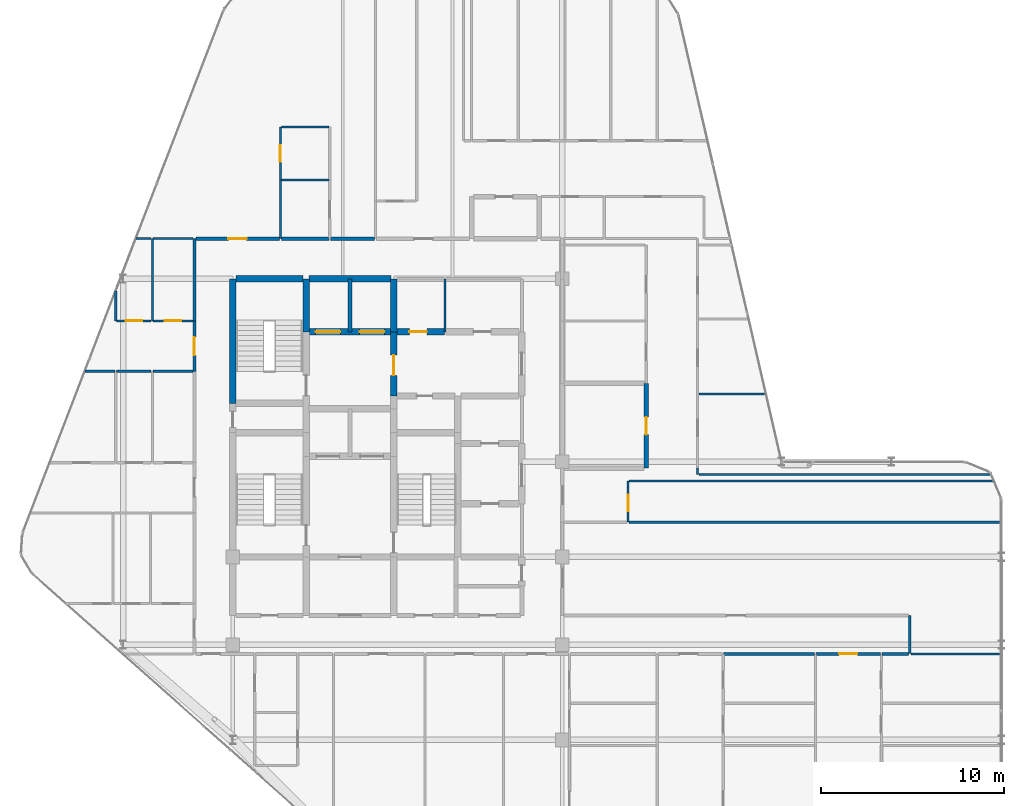
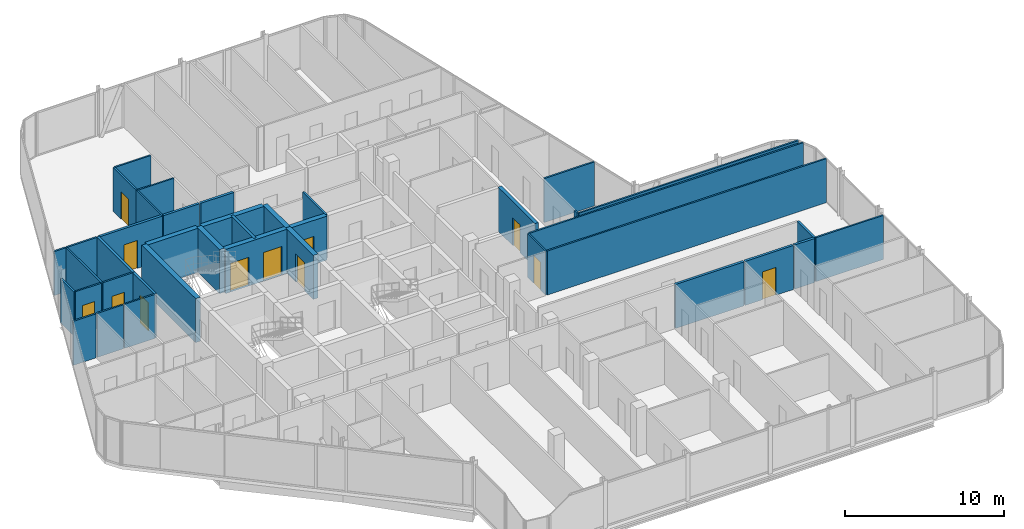
# One storey, part 26 of 29: 40 walls, 12 doors, 12 openings.
"""IFC4 building model written with IfcOpenShell, lengths in metres."""

from ifc_helpers import new_model, si_unit, direction, frame, frame_2d, origin, place, context, subcontext, project, spatial, rectangle, extrude, material, layer, layer_set, type_object, element, fill, save


model = new_model("IFC4")

# Units and contexts
model_context = context("Model", 3, precision=1e-05, world=origin(), true_north=direction((0.0, 1.0)))
body_context = subcontext(model_context, "Body", "Model", "MODEL_VIEW")
ifc_project = project(units=[si_unit("LENGTHUNIT", "METRE"), si_unit("AREAUNIT", "SQUARE_METRE"), si_unit("VOLUMEUNIT", "CUBIC_METRE"), si_unit("PLANEANGLEUNIT", "RADIAN"), si_unit("MASSUNIT", "GRAM", prefix="KILO")], contexts=[model_context])

# Site, building, storey
site_placement = place(None, origin())
site = spatial("IfcSite", under=ifc_project, at=site_placement, CompositionType="ELEMENT")
building_placement = place(site_placement, origin())
building = spatial("IfcBuilding", under=site, at=building_placement, Name="Keshet Zoharim Tower", CompositionType="ELEMENT")
storey_placement = place(building_placement, frame((0.0, 0.0, 230.199951171875)))
storey = spatial("IfcBuildingStorey", under=building, at=storey_placement, Name="L57", CompositionType="ELEMENT", Elevation=230.199951171875)

# Walls
ifc_material_1 = material(Name="Gypsum Plasterboard", Category="gypsum")
ifc_layer_1 = layer(ifc_material_1, 0.14990234375)
ifc_layer_set_1 = layer_set([ifc_layer_1], Name="Gypsum Plasterboard")
wall_type_1 = type_object("IfcWallType", Name="WL-CLIN-150", PredefinedType="STANDARD", material=ifc_layer_set_1)
wall_1_placement = place(storey_placement, frame((52.0, 17.409912109375, 0.0), z_axis=(0.0, 0.0, 1.0), x_axis=(0.0, 1.0, 0.0)))
element("IfcWall", 1, at=wall_1_placement, inside=storey, type_object=wall_type_1, Name="L57 Interior Wall 097", PredefinedType="STANDARD", context=body_context, shape_type="SweptSolid", body=[
    extrude(rectangle(XDim=2.090087890625, YDim=0.14990234375, at=frame_2d((1.044921875, 0.0))), origin(), (0.0, 0.0, 1.0), 3.39013671875),
])
ifc_material_2 = material(Name="Concrete C60/75", Category="concrete")
ifc_layer_2 = layer(ifc_material_2, 0.35009765625)
ifc_layer_set_2 = layer_set([ifc_layer_2], Name="Concrete C60/75")
wall_type_2 = type_object("IfcWallType", Name="WL-CORE-350", PredefinedType="SHEAR", material=ifc_layer_set_2)
wall_2_placement = place(storey_placement, frame((15.0, 31.10009765625, 0.0), z_axis=(0.0, 0.0, 1.0), x_axis=(0.0, 1.0, 0.0)))
element("IfcWall", 2, at=wall_2_placement, inside=storey, type_object=wall_type_2, Name="L57 Core Shear Wall 016", PredefinedType="SHEAR", context=body_context, shape_type="SweptSolid", body=[
    extrude(rectangle(XDim=6.7998046875, YDim=0.35009765625, at=frame_2d((3.39990234375, 0.0))), origin(), (0.0, 0.0, 1.0), 3.39013671875),
])
wall_3_placement = place(storey_placement, frame((19.0, 35.0, 0.0), z_axis=(0.0, 0.0, 1.0), x_axis=(0.0, 1.0, 0.0)))
element("IfcWall", 3, at=wall_3_placement, inside=storey, type_object=wall_type_2, Name="L57 Core Shear Wall 027", PredefinedType="SHEAR", context=body_context, shape_type="SweptSolid", body=[
    extrude(rectangle(XDim=2.89990234375, YDim=0.35009765625, at=frame_2d((1.449951171875, 0.0))), origin(), (0.0, 0.0, 1.0), 3.39013671875),
])

# Wall, opening, door
wall_4_placement = place(storey_placement, frame((23.800048828125, 31.5, 0.0), z_axis=(0.0, 0.0, 1.0), x_axis=(0.0, 1.0, 0.0)))
wall_4 = element("IfcWall", 4, at=wall_4_placement, inside=storey, type_object=wall_type_2, Name="L57 Core Shear Wall 040", PredefinedType="SHEAR", context=body_context, shape_type="SweptSolid", body=[
    extrude(rectangle(XDim=3.5, YDim=0.35009765625, at=frame_2d((1.75, 0.0))), origin(), (0.0, 0.0, 1.0), 3.39013671875),
])
opening_1_placement = place(wall_4_placement, frame((1.126953125, 0.0, 0.0)))
opening_1 = element("IfcOpeningElement", 5, at=opening_1_placement, cuts=wall_4, Name="Opening D-F611", PredefinedType="OPENING", context=body_context, shape_type="SweptSolid", body=[
    extrude(rectangle(XDim=1.10009765625, YDim=2.14990234375, at=frame_2d((0.550048828125, 1.074951171875))), frame((0.0, 0.18505859375, 0.0), z_axis=(0.0, -1.0, 0.0), x_axis=(1.0, 0.0, 0.0)), (0.0, 0.0, 1.0), 0.3701171875),
])
ifc_material_3 = material(Name="Hardwood Timber", Category="wood")
door_type_1 = type_object("IfcDoorType", Name="DR-FD60-110", OperationType="NOTDEFINED", PredefinedType="DOOR", material=ifc_material_3)
door_1_placement = place(opening_1_placement, origin())
door_1 = element("IfcDoor", 6, at=door_1_placement, inside=storey, type_object=door_type_1, Name="L57 Firefighting Lobby Fire Door", OperationType="SINGLE_SWING_RIGHT", OverallHeight=2.14990234375, OverallWidth=1.10009765625, PredefinedType="DOOR", context=body_context, shape_type="SweptSolid", body=[
    extrude(rectangle(XDim=1.10009765625, YDim=2.14990234375, at=frame_2d((0.550048828125, 1.074951171875))), frame((0.0, 0.02490234375, 0.0), z_axis=(0.0, -1.0, 0.0), x_axis=(1.0, 0.0, 0.0)), (0.0, 0.0, 1.0), 0.050048828125),
])
fill(opening_1, door_1)

# Wall
wall_5_placement = place(storey_placement, frame((23.800048828125, 35.0, 0.0), z_axis=(0.0, 0.0, 1.0), x_axis=(0.0, 1.0, 0.0)))
element("IfcWall", 7, at=wall_5_placement, inside=storey, type_object=wall_type_2, Name="L57 Core Shear Wall 041", PredefinedType="SHEAR", context=body_context, shape_type="SweptSolid", body=[
    extrude(rectangle(XDim=2.89990234375, YDim=0.35009765625, at=frame_2d((1.449951171875, 0.0))), origin(), (0.0, 0.0, 1.0), 3.39013671875),
])

# Wall, openings, doors
wall_6_placement = place(storey_placement, frame((19.159912109375, 35.0, 0.0), z_axis=(0.0, 0.0, 1.0), x_axis=(1.0, 0.0, 0.0)))
wall_6 = element("IfcWall", 8, at=wall_6_placement, inside=storey, type_object=wall_type_2, Name="L57 Core Shear Wall 161", PredefinedType="SHEAR", context=body_context, shape_type="SweptSolid", body=[
    extrude(rectangle(XDim=4.47998046875, YDim=0.35009765625, at=frame_2d((2.239990234375, 0.0))), origin(), (0.0, 0.0, 1.0), 3.39013671875),
])
opening_2_placement = place(wall_6_placement, frame((0.364990234375, 0.0, 0.0)))
opening_2 = element("IfcOpeningElement", 9, at=opening_2_placement, cuts=wall_6, Name="Opening LD-02", PredefinedType="OPENING", context=body_context, shape_type="SweptSolid", body=[
    extrude(rectangle(XDim=1.35009765625, YDim=2.199951171875, at=frame_2d((0.675048828125, 1.10009765625))), frame((0.0, 0.18505859375, 0.0), z_axis=(0.0, -1.0, 0.0), x_axis=(1.0, 0.0, 0.0)), (0.0, 0.0, 1.0), 0.3701171875),
])
opening_3_placement = place(wall_6_placement, frame((2.764892578125, 0.0, 0.0)))
opening_3 = element("IfcOpeningElement", 10, at=opening_3_placement, cuts=wall_6, Name="Opening LD-02", PredefinedType="OPENING", context=body_context, shape_type="SweptSolid", body=[
    extrude(rectangle(XDim=1.35009765625, YDim=2.199951171875, at=frame_2d((0.675048828125, 1.10009765625))), frame((0.0, 0.18505859375, 0.0), z_axis=(0.0, -1.0, 0.0), x_axis=(1.0, 0.0, 0.0)), (0.0, 0.0, 1.0), 0.3701171875),
])
ifc_material_4 = material(Name="Steel S355", Category="steel")
door_type_2 = type_object("IfcDoorType", Name="DR-LD02-135", OperationType="DOUBLE_DOOR_SLIDING", PredefinedType="DOOR", material=ifc_material_4)
door_2_placement = place(opening_2_placement, origin())
door_2 = element("IfcDoor", 11, at=door_2_placement, inside=storey, type_object=door_type_2, Name="L57 Firefighting Lift Landing Door FF-01", OperationType="DOUBLE_DOOR_SLIDING", OverallHeight=2.199951171875, OverallWidth=1.35009765625, PredefinedType="DOOR", context=body_context, shape_type="SweptSolid", body=[
    extrude(rectangle(XDim=1.35009765625, YDim=2.199951171875, at=frame_2d((0.675048828125, 1.10009765625))), frame((0.0, 0.02490234375, 0.0), z_axis=(0.0, -1.0, 0.0), x_axis=(1.0, 0.0, 0.0)), (0.0, 0.0, 1.0), 0.050048828125),
])
fill(opening_2, door_2)
door_3_placement = place(opening_3_placement, origin())
door_3 = element("IfcDoor", 12, at=door_3_placement, inside=storey, type_object=door_type_2, Name="L57 Firefighting Lift Landing Door FF-02", OperationType="DOUBLE_DOOR_SLIDING", OverallHeight=2.199951171875, OverallWidth=1.35009765625, PredefinedType="DOOR", context=body_context, shape_type="SweptSolid", body=[
    extrude(rectangle(XDim=1.35009765625, YDim=2.199951171875, at=frame_2d((0.675048828125, 1.10009765625))), frame((0.0, 0.02490234375, 0.0), z_axis=(0.0, -1.0, 0.0), x_axis=(1.0, 0.0, 0.0)), (0.0, 0.0, 1.0), 0.050048828125),
])
fill(opening_3, door_3)

# Wall, opening, door
wall_7_placement = place(storey_placement, frame((23.9599609375, 35.0, 0.0), z_axis=(0.0, 0.0, 1.0), x_axis=(1.0, 0.0, 0.0)))
wall_7 = element("IfcWall", 13, at=wall_7_placement, inside=storey, type_object=wall_type_2, Name="L57 Core Shear Wall 162", PredefinedType="SHEAR", context=body_context, shape_type="SweptSolid", body=[
    extrude(rectangle(XDim=2.594970703125, YDim=0.35009765625, at=frame_2d((1.29736328125, 0.0))), origin(), (0.0, 0.0, 1.0), 3.39013671875),
])
opening_4_placement = place(wall_7_placement, frame((0.69091796875, 0.0, 0.0)))
opening_4 = element("IfcOpeningElement", 14, at=opening_4_placement, cuts=wall_7, Name="Opening D-F695", PredefinedType="OPENING", context=body_context, shape_type="SweptSolid", body=[
    extrude(rectangle(XDim=0.949951171875, YDim=2.14990234375, at=frame_2d((0.47509765625, 1.074951171875))), frame((0.0, 0.18505859375, 0.0), z_axis=(0.0, -1.0, 0.0), x_axis=(1.0, 0.0, 0.0)), (0.0, 0.0, 1.0), 0.3701171875),
])
door_type_3 = type_object("IfcDoorType", Name="DR-FD60-095", OperationType="NOTDEFINED", PredefinedType="DOOR", material=ifc_material_3)
door_4_placement = place(opening_4_placement, frame((0.949951171875, 0.0, 0.0), z_axis=(0.0, 0.0, 1.0), x_axis=(-1.0, 0.0, 0.0)))
door_4 = element("IfcDoor", 15, at=door_4_placement, inside=storey, type_object=door_type_3, Name="L57 Laundry Room Door", OperationType="SINGLE_SWING_LEFT", OverallHeight=2.14990234375, OverallWidth=0.949951171875, PredefinedType="DOOR", context=body_context, shape_type="SweptSolid", body=[
    extrude(rectangle(XDim=0.949951171875, YDim=2.14990234375, at=frame_2d((0.47509765625, 1.074951171875))), frame((0.0, 0.02490234375, 0.0), z_axis=(0.0, -1.0, 0.0), x_axis=(1.0, 0.0, 0.0)), (0.0, 0.0, 1.0), 0.050048828125),
])
fill(opening_4, door_4)

# Walls
wall_8_placement = place(storey_placement, frame((15.159912109375, 37.89990234375, 0.0), z_axis=(0.0, 0.0, 1.0), x_axis=(1.0, 0.0, 0.0)))
element("IfcWall", 16, at=wall_8_placement, inside=storey, type_object=wall_type_2, Name="L57 Core Shear Wall 168", PredefinedType="SHEAR", context=body_context, shape_type="SweptSolid", body=[
    extrude(rectangle(XDim=3.68017578125, YDim=0.35009765625, at=frame_2d((1.840087890625, 0.0))), origin(), (0.0, 0.0, 1.0), 3.39013671875),
])
wall_9_placement = place(storey_placement, frame((19.159912109375, 37.89990234375, 0.0), z_axis=(0.0, 0.0, 1.0), x_axis=(1.0, 0.0, 0.0)))
element("IfcWall", 17, at=wall_9_placement, inside=storey, type_object=wall_type_2, Name="L57 Core Shear Wall 169", PredefinedType="SHEAR", context=body_context, shape_type="SweptSolid", body=[
    extrude(rectangle(XDim=4.47998046875, YDim=0.35009765625, at=frame_2d((2.239990234375, 0.0))), origin(), (0.0, 0.0, 1.0), 3.39013671875),
])

# Wall, opening, door
ifc_layer_3 = layer(ifc_material_1, 0.179931640625)
ifc_layer_set_3 = layer_set([ifc_layer_3], Name="Gypsum Plasterboard")
wall_type_3 = type_object("IfcWallType", Name="WL-CORR-180", PredefinedType="STANDARD", material=ifc_layer_set_3)
wall_10_placement = place(storey_placement, frame((12.89990234375, 32.840087890625, 0.0), z_axis=(0.0, 0.0, 1.0), x_axis=(0.0, 1.0, 0.0)))
wall_10 = element("IfcWall", 18, at=wall_10_placement, inside=storey, type_object=wall_type_3, Name="L57 Interior Wall 011", PredefinedType="STANDARD", context=body_context, shape_type="SweptSolid", body=[
    extrude(rectangle(XDim=2.75, YDim=0.179931640625, at=frame_2d((1.375, 0.0))), origin(), (0.0, 0.0, 1.0), 3.39013671875),
])
opening_5_placement = place(wall_10_placement, frame((0.875, 0.0, 0.0)))
opening_5 = element("IfcOpeningElement", 19, at=opening_5_placement, cuts=wall_10, Name="Opening D-F310", PredefinedType="OPENING", context=body_context, shape_type="SweptSolid", body=[
    extrude(rectangle(XDim=1.0, YDim=2.14990234375, at=frame_2d((0.5, 1.074951171875))), frame((0.0, 0.10009765625, 0.0), z_axis=(0.0, -1.0, 0.0), x_axis=(1.0, 0.0, 0.0)), (0.0, 0.0, 1.0), 0.199951171875),
])
door_type_4 = type_object("IfcDoorType", Name="DR-FD30-100", OperationType="NOTDEFINED", PredefinedType="DOOR", material=ifc_material_3)
door_5_placement = place(opening_5_placement, origin())
door_5 = element("IfcDoor", 20, at=door_5_placement, inside=storey, type_object=door_type_4, Name="Apartment 5709 Entrance Door", OperationType="SINGLE_SWING_LEFT", OverallHeight=2.14990234375, OverallWidth=1.0, PredefinedType="DOOR", context=body_context, shape_type="SweptSolid", body=[
    extrude(rectangle(XDim=1.0, YDim=2.14990234375, at=frame_2d((0.5, 1.074951171875))), frame((0.0, 0.02490234375, 0.0), z_axis=(0.0, -1.0, 0.0), x_axis=(1.0, 0.0, 0.0)), (0.0, 0.0, 1.0), 0.050048828125),
])
fill(opening_5, door_5)

# Walls
wall_11_placement = place(storey_placement, frame((12.89990234375, 35.590087890625, 0.0), z_axis=(0.0, 0.0, 1.0), x_axis=(0.0, 1.0, 0.0)))
element("IfcWall", 21, at=wall_11_placement, inside=storey, type_object=wall_type_3, Name="L57 Interior Wall 012", PredefinedType="STANDARD", context=body_context, shape_type="SweptSolid", body=[
    extrude(rectangle(XDim=4.510009765625, YDim=0.179931640625, at=frame_2d((2.2548828125, 0.0))), origin(), (0.0, 0.0, 1.0), 3.39013671875),
])
wall_12_placement = place(storey_placement, frame((41.824951171875, 17.39990234375, 0.0), z_axis=(0.0, 0.0, 1.0), x_axis=(1.0, 0.0, 0.0)))
element("IfcWall", 22, at=wall_12_placement, inside=storey, type_object=wall_type_3, Name="L57 Interior Wall 119", PredefinedType="STANDARD", context=body_context, shape_type="SweptSolid", body=[
    extrude(rectangle(XDim=4.969970703125, YDim=0.179931640625, at=frame_2d((2.48486328125, 0.0))), origin(), (0.0, 0.0, 1.0), 3.39013671875),
])

# Wall, opening, door
wall_13_placement = place(storey_placement, frame((46.885009765625, 17.39990234375, 0.0), z_axis=(0.0, 0.0, 1.0), x_axis=(1.0, 0.0, 0.0)))
wall_13 = element("IfcWall", 23, at=wall_13_placement, inside=storey, type_object=wall_type_3, Name="L57 Interior Wall 120", PredefinedType="STANDARD", context=body_context, shape_type="SweptSolid", body=[
    extrude(rectangle(XDim=3.510009765625, YDim=0.179931640625, at=frame_2d((1.7548828125, 0.0))), origin(), (0.0, 0.0, 1.0), 3.39013671875),
])
opening_6_placement = place(wall_13_placement, frame((1.2548828125, 0.0, 0.0)))
opening_6 = element("IfcOpeningElement", 24, at=opening_6_placement, cuts=wall_13, Name="Opening D-F310", PredefinedType="OPENING", context=body_context, shape_type="SweptSolid", body=[
    extrude(rectangle(XDim=1.0, YDim=2.14990234375, at=frame_2d((0.5, 1.074951171875))), frame((0.0, 0.10009765625, 0.0), z_axis=(0.0, -1.0, 0.0), x_axis=(1.0, 0.0, 0.0)), (0.0, 0.0, 1.0), 0.199951171875),
])
door_6_placement = place(opening_6_placement, origin())
door_6 = element("IfcDoor", 25, at=door_6_placement, inside=storey, type_object=door_type_4, Name="Apartment 5704 Entrance Door", OperationType="SINGLE_SWING_LEFT", OverallHeight=2.14990234375, OverallWidth=1.0, PredefinedType="DOOR", context=body_context, shape_type="SweptSolid", body=[
    extrude(rectangle(XDim=1.0, YDim=2.14990234375, at=frame_2d((0.5, 1.074951171875))), frame((0.0, 0.02490234375, 0.0), z_axis=(0.0, -1.0, 0.0), x_axis=(1.0, 0.0, 0.0)), (0.0, 0.0, 1.0), 0.050048828125),
])
fill(opening_6, door_6)

# Wall
wall_14_placement = place(storey_placement, frame((50.485107421875, 17.39990234375, 0.0), z_axis=(0.0, 0.0, 1.0), x_axis=(1.0, 0.0, 0.0)))
element("IfcWall", 26, at=wall_14_placement, inside=storey, type_object=wall_type_3, Name="L57 Interior Wall 121", PredefinedType="STANDARD", context=body_context, shape_type="SweptSolid", body=[
    extrude(rectangle(XDim=1.454833984375, YDim=0.179931640625, at=frame_2d((0.7275390625, 0.0))), origin(), (0.0, 0.0, 1.0), 3.39013671875),
])

# Wall, opening, door
wall_15_placement = place(storey_placement, frame((12.97509765625, 40.10009765625, 0.0), z_axis=(0.0, 0.0, 1.0), x_axis=(1.0, 0.0, 0.0)))
wall_15 = element("IfcWall", 27, at=wall_15_placement, inside=storey, type_object=wall_type_3, Name="L57 Interior Wall 176", PredefinedType="STANDARD", context=body_context, shape_type="SweptSolid", body=[
    extrude(rectangle(XDim=4.579833984375, YDim=0.179931640625, at=frame_2d((2.2900390625, 0.0))), origin(), (0.0, 0.0, 1.0), 3.39013671875),
])
opening_7_placement = place(wall_15_placement, frame((1.77490234375, 0.0, 0.0)))
opening_7 = element("IfcOpeningElement", 28, at=opening_7_placement, cuts=wall_15, Name="Opening D-F310", PredefinedType="OPENING", context=body_context, shape_type="SweptSolid", body=[
    extrude(rectangle(XDim=1.0, YDim=2.14990234375, at=frame_2d((0.5, 1.074951171875))), frame((0.0, 0.10009765625, 0.0), z_axis=(0.0, -1.0, 0.0), x_axis=(1.0, 0.0, 0.0)), (0.0, 0.0, 1.0), 0.199951171875),
])
door_7_placement = place(opening_7_placement, origin())
door_7 = element("IfcDoor", 29, at=door_7_placement, inside=storey, type_object=door_type_4, Name="Apartment 5705 Entrance Door", OperationType="SINGLE_SWING_LEFT", OverallHeight=2.14990234375, OverallWidth=1.0, PredefinedType="DOOR", context=body_context, shape_type="SweptSolid", body=[
    extrude(rectangle(XDim=1.0, YDim=2.14990234375, at=frame_2d((0.5, 1.074951171875))), frame((0.0, 0.02490234375, 0.0), z_axis=(0.0, -1.0, 0.0), x_axis=(1.0, 0.0, 0.0)), (0.0, 0.0, 1.0), 0.050048828125),
])
fill(opening_7, door_7)

# Walls
wall_16_placement = place(storey_placement, frame((17.64501953125, 40.10009765625, 0.0), z_axis=(0.0, 0.0, 1.0), x_axis=(1.0, 0.0, 0.0)))
element("IfcWall", 30, at=wall_16_placement, inside=storey, type_object=wall_type_3, Name="L57 Interior Wall 177", PredefinedType="STANDARD", context=body_context, shape_type="SweptSolid", body=[
    extrude(rectangle(XDim=2.60986328125, YDim=0.179931640625, at=frame_2d((1.304931640625, 0.0))), origin(), (0.0, 0.0, 1.0), 3.39013671875),
])
wall_17_placement = place(storey_placement, frame((20.344970703125, 40.10009765625, 0.0), z_axis=(0.0, 0.0, 1.0), x_axis=(1.0, 0.0, 0.0)))
element("IfcWall", 31, at=wall_17_placement, inside=storey, type_object=wall_type_3, Name="L57 Interior Wall 178", PredefinedType="STANDARD", context=body_context, shape_type="SweptSolid", body=[
    extrude(rectangle(XDim=2.409912109375, YDim=0.179931640625, at=frame_2d((1.205078125, 0.0))), origin(), (0.0, 0.0, 1.0), 3.39013671875),
])
ifc_material_5 = material(Name="Concrete C50/60", Category="concrete")
ifc_layer_4 = layer(ifc_material_5, 0.199951171875)
ifc_layer_set_4 = layer_set([ifc_layer_4], Name="Concrete C50/60")
wall_type_4 = type_object("IfcWallType", Name="WL-FIRE-200", PredefinedType="STANDARD", material=ifc_layer_set_4)
wall_18_placement = place(storey_placement, frame((21.39990234375, 35.0, 0.0), z_axis=(0.0, 0.0, 1.0), x_axis=(0.0, 1.0, 0.0)))
element("IfcWall", 32, at=wall_18_placement, inside=storey, type_object=wall_type_4, Name="L57 Interior Wall 032", PredefinedType="STANDARD", context=body_context, shape_type="SweptSolid", body=[
    extrude(rectangle(XDim=2.89990234375, YDim=0.199951171875, at=frame_2d((1.449951171875, 0.0))), origin(), (0.0, 0.0, 1.0), 3.39013671875),
])

# Wall, opening, door
ifc_layer_5 = layer(ifc_material_5, 0.25)
ifc_layer_set_5 = layer_set([ifc_layer_5], Name="Concrete C50/60")
wall_type_5 = type_object("IfcWallType", Name="WL-MAMAD-250", PredefinedType="STANDARD", material=ifc_layer_set_5)
wall_19_placement = place(storey_placement, frame((37.60009765625, 27.550048828125, 0.0), z_axis=(0.0, 0.0, 1.0), x_axis=(0.0, 1.0, 0.0)))
wall_19 = element("IfcWall", 33, at=wall_19_placement, inside=storey, type_object=wall_type_5, Name="L57 Interior Wall 077", PredefinedType="STANDARD", context=body_context, shape_type="SweptSolid", body=[
    extrude(rectangle(XDim=4.635986328125, YDim=0.25, at=frame_2d((2.31787109375, 0.0))), origin(), (0.0, 0.0, 1.0), 3.39013671875),
])
opening_8_placement = place(wall_19_placement, frame((1.843017578125, 0.0, 0.0)))
opening_8 = element("IfcOpeningElement", 34, at=opening_8_placement, cuts=wall_19, Name="Opening D-F695", PredefinedType="OPENING", context=body_context, shape_type="SweptSolid", body=[
    extrude(rectangle(XDim=0.949951171875, YDim=2.14990234375, at=frame_2d((0.47509765625, 1.074951171875))), frame((0.0, 0.135009765625, 0.0), z_axis=(0.0, -1.0, 0.0), x_axis=(1.0, 0.0, 0.0)), (0.0, 0.0, 1.0), 0.27001953125),
])
door_8_placement = place(opening_8_placement, origin())
door_8 = element("IfcDoor", 35, at=door_8_placement, inside=storey, type_object=door_type_3, Name="Apartment 5710 Study and Shelter Room Door", OperationType="SINGLE_SWING_LEFT", OverallHeight=2.14990234375, OverallWidth=0.949951171875, PredefinedType="DOOR", context=body_context, shape_type="SweptSolid", body=[
    extrude(rectangle(XDim=0.949951171875, YDim=2.14990234375, at=frame_2d((0.47509765625, 1.074951171875))), frame((0.0, 0.02490234375, 0.0), z_axis=(0.0, -1.0, 0.0), x_axis=(1.0, 0.0, 0.0)), (0.0, 0.0, 1.0), 0.050048828125),
])
fill(opening_8, door_8)

# Walls
ifc_layer_6 = layer(ifc_material_1, 0.1201171875)
ifc_layer_set_6 = layer_set([ifc_layer_6], Name="Gypsum Plasterboard")
wall_type_6 = type_object("IfcWallType", Name="WL-PART-120", PredefinedType="PARTITIONING", material=ifc_layer_set_6)
wall_20_placement = place(storey_placement, frame((8.60009765625, 35.590087890625, 0.0), z_axis=(0.0, 0.0, 1.0), x_axis=(0.0, 1.0, 0.0)))
element("IfcWall", 36, at=wall_20_placement, inside=storey, type_object=wall_type_6, Name="L57 Interior Wall 003", PredefinedType="PARTITIONING", context=body_context, shape_type="SweptSolid", body=[
    extrude(rectangle(XDim=1.659912109375, YDim=0.1201171875, at=frame_2d((0.830078125, 0.0))), origin(), (0.0, 0.0, 1.0), 3.39013671875),
])
wall_21_placement = place(storey_placement, frame((17.60009765625, 40.10009765625, 0.0), z_axis=(0.0, 0.0, 1.0), x_axis=(0.0, 1.0, 0.0)))
element("IfcWall", 37, at=wall_21_placement, inside=storey, type_object=wall_type_6, Name="L57 Interior Wall 019", PredefinedType="PARTITIONING", context=body_context, shape_type="SweptSolid", body=[
    extrude(rectangle(XDim=3.199951171875, YDim=0.1201171875, at=frame_2d((1.60009765625, 0.0))), origin(), (0.0, 0.0, 1.0), 3.39013671875),
])
wall_22_placement = place(storey_placement, frame((26.60009765625, 35.0, 0.0), z_axis=(0.0, 0.0, 1.0), x_axis=(0.0, 1.0, 0.0)))
element("IfcWall", 38, at=wall_22_placement, inside=storey, type_object=wall_type_6, Name="L57 Interior Wall 044", PredefinedType="PARTITIONING", context=body_context, shape_type="SweptSolid", body=[
    extrude(rectangle(XDim=2.89990234375, YDim=0.1201171875, at=frame_2d((1.449951171875, 0.0))), origin(), (0.0, 0.0, 1.0), 3.39013671875),
])

# Wall, opening, door
wall_23_placement = place(storey_placement, frame((36.60009765625, 24.60009765625, 0.0), z_axis=(0.0, 0.0, 1.0), x_axis=(0.0, 1.0, 0.0)))
wall_23 = element("IfcWall", 39, at=wall_23_placement, inside=storey, type_object=wall_type_6, Name="L57 Interior Wall 076", PredefinedType="PARTITIONING", context=body_context, shape_type="SweptSolid", body=[
    extrude(rectangle(XDim=2.25, YDim=0.1201171875, at=frame_2d((1.125, 0.0))), origin(), (0.0, 0.0, 1.0), 3.39013671875),
])
opening_9_placement = place(wall_23_placement, frame((0.597900390625, 0.0, 0.0)))
opening_9 = element("IfcOpeningElement", 40, at=opening_9_placement, cuts=wall_23, Name="Opening D-IN90", PredefinedType="OPENING", context=body_context, shape_type="SweptSolid", body=[
    extrude(rectangle(XDim=0.89990234375, YDim=2.14990234375, at=frame_2d((0.449951171875, 1.074951171875))), frame((0.0, 0.070068359375, 0.0), z_axis=(0.0, -1.0, 0.0), x_axis=(1.0, 0.0, 0.0)), (0.0, 0.0, 1.0), 0.14013671875),
])
door_type_5 = type_object("IfcDoorType", Name="DR-INT-090", OperationType="NOTDEFINED", PredefinedType="DOOR", material=ifc_material_3)
door_9_placement = place(opening_9_placement, origin())
door_9 = element("IfcDoor", 41, at=door_9_placement, inside=storey, type_object=door_type_5, Name="Apartment 5710 Formal Dining Room Door", OperationType="SINGLE_SWING_RIGHT", OverallHeight=2.14990234375, OverallWidth=0.89990234375, PredefinedType="DOOR", context=body_context, shape_type="SweptSolid", body=[
    extrude(rectangle(XDim=0.89990234375, YDim=2.14990234375, at=frame_2d((0.449951171875, 1.074951171875))), frame((0.0, 0.02490234375, 0.0), z_axis=(0.0, -1.0, 0.0), x_axis=(1.0, 0.0, 0.0)), (0.0, 0.0, 1.0), 0.050048828125),
])
fill(opening_9, door_9)

# Walls
wall_24_placement = place(storey_placement, frame((40.39990234375, 27.199951171875, 0.0), z_axis=(0.0, 0.0, 1.0), x_axis=(0.0, 1.0, 0.0)))
element("IfcWall", 42, at=wall_24_placement, inside=storey, type_object=wall_type_6, Name="L57 Interior Wall 084", PredefinedType="PARTITIONING", context=body_context, shape_type="SweptSolid", body=[
    extrude(rectangle(XDim=0.35009765625, YDim=0.1201171875, at=frame_2d((0.175048828125, 0.0))), origin(), (0.0, 0.0, 1.0), 3.39013671875),
])
wall_25_placement = place(storey_placement, frame((36.64501953125, 24.60009765625, 0.0), z_axis=(0.0, 0.0, 1.0), x_axis=(1.0, 0.0, 0.0)))
element("IfcWall", 43, at=wall_25_placement, inside=storey, type_object=wall_type_6, Name="L57 Interior Wall 137", PredefinedType="PARTITIONING", context=body_context, shape_type="SweptSolid", body=[
    extrude(rectangle(XDim=20.344970703125, YDim=0.1201171875, at=frame_2d((10.17236328125, 0.0))), origin(), (0.0, 0.0, 1.0), 3.39013671875),
])
wall_26_placement = place(storey_placement, frame((36.64501953125, 26.85009765625, 0.0), z_axis=(0.0, 0.0, 1.0), x_axis=(1.0, 0.0, 0.0)))
element("IfcWall", 44, at=wall_26_placement, inside=storey, type_object=wall_type_6, Name="L57 Interior Wall 142", PredefinedType="PARTITIONING", context=body_context, shape_type="SweptSolid", body=[
    extrude(rectangle(XDim=19.950927734375, YDim=0.1201171875, at=frame_2d((9.9755859375, 0.0))), origin(), (0.0, 0.0, 1.0), 3.39013671875),
])
wall_27_placement = place(storey_placement, frame((40.465087890625, 27.199951171875, 0.0), z_axis=(0.0, 0.0, 1.0), x_axis=(1.0, 0.0, 0.0)))
element("IfcWall", 45, at=wall_27_placement, inside=storey, type_object=wall_type_6, Name="L57 Interior Wall 143", PredefinedType="PARTITIONING", context=body_context, shape_type="SweptSolid", body=[
    extrude(rectangle(XDim=15.98583984375, YDim=0.1201171875, at=frame_2d((7.992919921875, 0.0))), origin(), (0.0, 0.0, 1.0), 3.39013671875),
])
wall_28_placement = place(storey_placement, frame((40.465087890625, 31.60009765625, 0.0), z_axis=(0.0, 0.0, 1.0), x_axis=(1.0, 0.0, 0.0)))
element("IfcWall", 46, at=wall_28_placement, inside=storey, type_object=wall_type_6, Name="L57 Interior Wall 156", PredefinedType="PARTITIONING", context=body_context, shape_type="SweptSolid", body=[
    extrude(rectangle(XDim=3.6708984375, YDim=0.1201171875, at=frame_2d((1.83544921875, 0.0))), origin(), (0.0, 0.0, 1.0), 3.39013671875),
])
wall_29_placement = place(storey_placement, frame((6.9140625, 32.85009765625, 0.0), z_axis=(0.0, 0.0, 1.0), x_axis=(1.0, 0.0, 0.0)))
element("IfcWall", 47, at=wall_29_placement, inside=storey, type_object=wall_type_6, Name="L57 Interior Wall 158", PredefinedType="PARTITIONING", context=body_context, shape_type="SweptSolid", body=[
    extrude(rectangle(XDim=1.640869140625, YDim=0.1201171875, at=frame_2d((0.8203125, 0.0))), origin(), (0.0, 0.0, 1.0), 3.39013671875),
])
wall_30_placement = place(storey_placement, frame((8.64501953125, 32.85009765625, 0.0), z_axis=(0.0, 0.0, 1.0), x_axis=(1.0, 0.0, 0.0)))
element("IfcWall", 48, at=wall_30_placement, inside=storey, type_object=wall_type_6, Name="L57 Interior Wall 159", PredefinedType="PARTITIONING", context=body_context, shape_type="SweptSolid", body=[
    extrude(rectangle(XDim=1.887939453125, YDim=0.1201171875, at=frame_2d((0.94384765625, 0.0))), origin(), (0.0, 0.0, 1.0), 3.39013671875),
])

# Wall, opening, door
wall_31_placement = place(storey_placement, frame((8.64501953125, 35.60009765625, 0.0), z_axis=(0.0, 0.0, 1.0), x_axis=(1.0, 0.0, 0.0)))
wall_31 = element("IfcWall", 49, at=wall_31_placement, inside=storey, type_object=wall_type_6, Name="L57 Interior Wall 164", PredefinedType="PARTITIONING", context=body_context, shape_type="SweptSolid", body=[
    extrude(rectangle(XDim=1.887939453125, YDim=0.1201171875, at=frame_2d((0.94384765625, 0.0))), origin(), (0.0, 0.0, 1.0), 3.39013671875),
])
opening_10_placement = place(wall_31_placement, frame((0.493896484375, 0.0, 0.0)))
opening_10 = element("IfcOpeningElement", 50, at=opening_10_placement, cuts=wall_31, Name="Opening D-IN90", PredefinedType="OPENING", context=body_context, shape_type="SweptSolid", body=[
    extrude(rectangle(XDim=0.89990234375, YDim=2.14990234375, at=frame_2d((0.449951171875, 1.074951171875))), frame((0.0, 0.070068359375, 0.0), z_axis=(0.0, -1.0, 0.0), x_axis=(1.0, 0.0, 0.0)), (0.0, 0.0, 1.0), 0.14013671875),
])
door_10_placement = place(opening_10_placement, origin())
door_10 = element("IfcDoor", 51, at=door_10_placement, inside=storey, type_object=door_type_5, Name="Apartment 5709 Kitchen Door", OperationType="SINGLE_SWING_LEFT", OverallHeight=2.14990234375, OverallWidth=0.89990234375, PredefinedType="DOOR", context=body_context, shape_type="SweptSolid", body=[
    extrude(rectangle(XDim=0.89990234375, YDim=2.14990234375, at=frame_2d((0.449951171875, 1.074951171875))), frame((0.0, 0.02490234375, 0.0), z_axis=(0.0, -1.0, 0.0), x_axis=(1.0, 0.0, 0.0)), (0.0, 0.0, 1.0), 0.050048828125),
])
fill(opening_10, door_10)

# Walls
wall_32_placement = place(storey_placement, frame((9.701904296875, 40.10009765625, 0.0), z_axis=(0.0, 0.0, 1.0), x_axis=(1.0, 0.0, 0.0)))
element("IfcWall", 52, at=wall_32_placement, inside=storey, type_object=wall_type_6, Name="L57 Interior Wall 174", PredefinedType="PARTITIONING", context=body_context, shape_type="SweptSolid", body=[
    extrude(rectangle(XDim=0.8310546875, YDim=0.1201171875, at=frame_2d((0.41552734375, 0.0))), origin(), (0.0, 0.0, 1.0), 3.39013671875),
])
ifc_layer_7 = layer(ifc_material_1, 0.1201171875)
ifc_layer_set_7 = layer_set([ifc_layer_7], Name="Gypsum Plasterboard")
wall_type_7 = type_object("IfcWallType", Name="WL-WET-120", PredefinedType="PARTITIONING", material=ifc_layer_set_7)
wall_33_placement = place(storey_placement, frame((10.60009765625, 35.590087890625, 0.0), z_axis=(0.0, 0.0, 1.0), x_axis=(0.0, 1.0, 0.0)))
element("IfcWall", 53, at=wall_33_placement, inside=storey, type_object=wall_type_7, Name="L57 Interior Wall 006", PredefinedType="PARTITIONING", context=body_context, shape_type="SweptSolid", body=[
    extrude(rectangle(XDim=4.510009765625, YDim=0.1201171875, at=frame_2d((2.2548828125, 0.0))), origin(), (0.0, 0.0, 1.0), 3.39013671875),
])

# Wall, opening, door
wall_34_placement = place(storey_placement, frame((17.60009765625, 43.300048828125, 0.0), z_axis=(0.0, 0.0, 1.0), x_axis=(0.0, 1.0, 0.0)))
wall_34 = element("IfcWall", 54, at=wall_34_placement, inside=storey, type_object=wall_type_7, Name="L57 Interior Wall 020", PredefinedType="PARTITIONING", context=body_context, shape_type="SweptSolid", body=[
    extrude(rectangle(XDim=2.89990234375, YDim=0.1201171875, at=frame_2d((1.449951171875, 0.0))), origin(), (0.0, 0.0, 1.0), 3.39013671875),
])
opening_11_placement = place(wall_34_placement, frame((1.0, 0.0, 0.0)))
opening_11 = element("IfcOpeningElement", 55, at=opening_11_placement, cuts=wall_34, Name="Opening D-WT90", PredefinedType="OPENING", context=body_context, shape_type="SweptSolid", body=[
    extrude(rectangle(XDim=0.89990234375, YDim=2.10009765625, at=frame_2d((0.449951171875, 1.050048828125))), frame((0.0, 0.070068359375, 0.0), z_axis=(0.0, -1.0, 0.0), x_axis=(1.0, 0.0, 0.0)), (0.0, 0.0, 1.0), 0.14013671875),
])
door_type_6 = type_object("IfcDoorType", Name="DR-WET-090", OperationType="NOTDEFINED", PredefinedType="DOOR", material=ifc_material_3)
door_11_placement = place(opening_11_placement, origin())
door_11 = element("IfcDoor", 56, at=door_11_placement, inside=storey, type_object=door_type_6, Name="Apartment 5705 Bathroom Door", OperationType="SINGLE_SWING_RIGHT", OverallHeight=2.10009765625, OverallWidth=0.89990234375, PredefinedType="DOOR", context=body_context, shape_type="SweptSolid", body=[
    extrude(rectangle(XDim=0.89990234375, YDim=2.10009765625, at=frame_2d((0.449951171875, 1.050048828125))), frame((0.0, 0.02490234375, 0.0), z_axis=(0.0, -1.0, 0.0), x_axis=(1.0, 0.0, 0.0)), (0.0, 0.0, 1.0), 0.050048828125),
])
fill(opening_11, door_11)

# Walls
wall_35_placement = place(storey_placement, frame((52.070068359375, 17.39990234375, 0.0), z_axis=(0.0, 0.0, 1.0), x_axis=(1.0, 0.0, 0.0)))
element("IfcWall", 57, at=wall_35_placement, inside=storey, type_object=wall_type_7, Name="L57 Interior Wall 122", PredefinedType="PARTITIONING", context=body_context, shape_type="SweptSolid", body=[
    extrude(rectangle(XDim=4.919921875, YDim=0.1201171875, at=frame_2d((2.4599609375, 0.0))), origin(), (0.0, 0.0, 1.0), 3.39013671875),
])
wall_36_placement = place(storey_placement, frame((10.623046875, 32.85009765625, 0.0), z_axis=(0.0, 0.0, 1.0), x_axis=(1.0, 0.0, 0.0)))
element("IfcWall", 58, at=wall_36_placement, inside=storey, type_object=wall_type_7, Name="L57 Interior Wall 160", PredefinedType="PARTITIONING", context=body_context, shape_type="SweptSolid", body=[
    extrude(rectangle(XDim=2.201904296875, YDim=0.1201171875, at=frame_2d((1.10107421875, 0.0))), origin(), (0.0, 0.0, 1.0), 3.39013671875),
])

# Wall, opening, door
wall_37_placement = place(storey_placement, frame((10.623046875, 35.60009765625, 0.0), z_axis=(0.0, 0.0, 1.0), x_axis=(1.0, 0.0, 0.0)))
wall_37 = element("IfcWall", 59, at=wall_37_placement, inside=storey, type_object=wall_type_7, Name="L57 Interior Wall 165", PredefinedType="PARTITIONING", context=body_context, shape_type="SweptSolid", body=[
    extrude(rectangle(XDim=2.201904296875, YDim=0.1201171875, at=frame_2d((1.10107421875, 0.0))), origin(), (0.0, 0.0, 1.0), 3.39013671875),
])
opening_12_placement = place(wall_37_placement, frame((0.666015625, 0.0, 0.0)))
opening_12 = element("IfcOpeningElement", 60, at=opening_12_placement, cuts=wall_37, Name="Opening D-WT90", PredefinedType="OPENING", context=body_context, shape_type="SweptSolid", body=[
    extrude(rectangle(XDim=0.89990234375, YDim=2.10009765625, at=frame_2d((0.449951171875, 1.050048828125))), frame((0.0, 0.070068359375, 0.0), z_axis=(0.0, -1.0, 0.0), x_axis=(1.0, 0.0, 0.0)), (0.0, 0.0, 1.0), 0.14013671875),
])
door_12_placement = place(opening_12_placement, origin())
door_12 = element("IfcDoor", 61, at=door_12_placement, inside=storey, type_object=door_type_6, Name="Apartment 5709 Bathroom Door", OperationType="SINGLE_SWING_RIGHT", OverallHeight=2.10009765625, OverallWidth=0.89990234375, PredefinedType="DOOR", context=body_context, shape_type="SweptSolid", body=[
    extrude(rectangle(XDim=0.89990234375, YDim=2.10009765625, at=frame_2d((0.449951171875, 1.050048828125))), frame((0.0, 0.02490234375, 0.0), z_axis=(0.0, -1.0, 0.0), x_axis=(1.0, 0.0, 0.0)), (0.0, 0.0, 1.0), 0.050048828125),
])
fill(opening_12, door_12)

# Walls
wall_38_placement = place(storey_placement, frame((10.623046875, 40.10009765625, 0.0), z_axis=(0.0, 0.0, 1.0), x_axis=(1.0, 0.0, 0.0)))
element("IfcWall", 62, at=wall_38_placement, inside=storey, type_object=wall_type_7, Name="L57 Interior Wall 175", PredefinedType="PARTITIONING", context=body_context, shape_type="SweptSolid", body=[
    extrude(rectangle(XDim=2.201904296875, YDim=0.1201171875, at=frame_2d((1.10107421875, 0.0))), origin(), (0.0, 0.0, 1.0), 3.39013671875),
])
for number, where, z_axis, x_axis, name in (
    (63, (17.64501953125, 43.300048828125, 0.0), (0.0, 0.0, 1.0), (1.0, 0.0, 0.0), "L57 Interior Wall 189"),
    (64, (17.64501953125, 46.199951171875, 0.0), (0.0, 0.0, 1.0), (1.0, 0.0, 0.0), "L57 Interior Wall 192"),
):
    element("IfcWall", number, at=place(storey_placement, frame(where, z_axis=z_axis, x_axis=x_axis)), inside=storey, type_object=wall_type_7, Name=name, PredefinedType="PARTITIONING", context=body_context, shape_type="SweptSolid", body=[
        extrude(rectangle(XDim=2.60986328125, YDim=0.1201171875, at=frame_2d((1.304931640625, 0.0))), origin(), (0.0, 0.0, 1.0), 3.39013671875),
    ])

save(model, "model.ifc")
